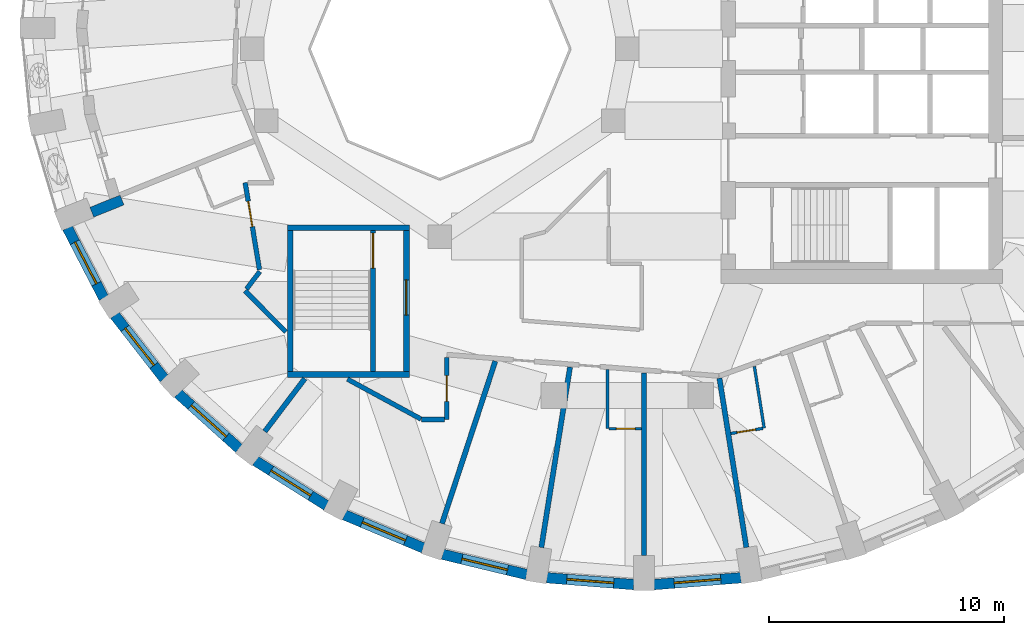
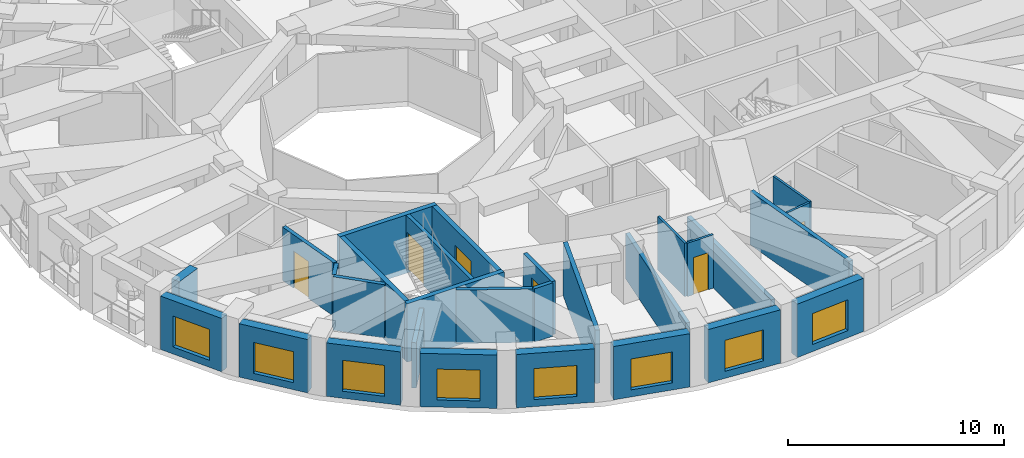
# One storey, part 3 of 12: 29 walls, 8 windows, 6 doors, 14 openings.
"""IFC4 building model written with IfcOpenShell, lengths in metres."""

from ifc_helpers import new_model, si_unit, direction, frame, frame_2d, origin, place, context, subcontext, project, spatial, rectangle, extrude, material, layer, layer_set, type_object, element, fill, save


model = new_model("IFC4")

# Units and contexts
model_context = context("Model", 3, precision=1e-05, world=origin(), true_north=direction((0.0, 1.0)))
body_context = subcontext(model_context, "Body", "Model", "MODEL_VIEW")
ifc_project = project(units=[si_unit("LENGTHUNIT", "METRE"), si_unit("AREAUNIT", "SQUARE_METRE"), si_unit("VOLUMEUNIT", "CUBIC_METRE"), si_unit("PLANEANGLEUNIT", "RADIAN"), si_unit("MASSUNIT", "GRAM", prefix="KILO")], contexts=[model_context])

# Site, building, storey
site_placement = place(None, origin())
site = spatial("IfcSite", under=ifc_project, at=site_placement, CompositionType="ELEMENT")
building_placement = place(site_placement, origin())
building = spatial("IfcBuilding", under=site, at=building_placement, Name="Taillehof Tower", CompositionType="ELEMENT")
storey_placement = place(building_placement, frame((0.0, 0.0, 189.199951171875)))
storey = spatial("IfcBuildingStorey", under=building, at=storey_placement, Name="L53", CompositionType="ELEMENT", Elevation=189.199951171875)

# Wall, opening, window
ifc_material_1 = material(Name="Brick masonry", Category="masonry")
ifc_layer_1 = layer(ifc_material_1, 0.449951171875)
ifc_layer_set_1 = layer_set([ifc_layer_1], Name="Brick infill wall 450")
wall_type_1 = type_object("IfcWallType", Name="Brick infill wall 450", PredefinedType="SOLIDWALL", material=ifc_layer_set_1)
wall_1_placement = place(storey_placement, frame((-23.878173828125, -7.631591796875, 0.0), z_axis=(0.0, 0.0, 1.0), x_axis=(0.460232593174, -0.887798378113, 0.0)))
wall_1 = element("IfcWall", 1, at=wall_1_placement, inside=storey, type_object=wall_type_1, Name="Brick wall L53 bay 21", PredefinedType="SOLIDWALL", context=body_context, shape_type="SweptSolid", body=[
    extrude(rectangle(XDim=3.37060546875, YDim=0.449951171875, at=frame_2d((1.685302734375, 0.0))), origin(), (0.0, 0.0, 1.0), 3.02001953125),
])
opening_1_placement = place(wall_1_placement, frame((0.685302734375, 0.0, 0.39990234375)))
opening_1 = element("IfcOpeningElement", 2, at=opening_1_placement, cuts=wall_1, Name="Opening W2", PredefinedType="OPENING", context=body_context, shape_type="SweptSolid", body=[
    extrude(rectangle(XDim=2.0, YDim=1.75, at=frame_2d((1.0, 0.875))), frame((0.0, 0.23486328125, 0.0), z_axis=(0.0, -1.0, 0.0), x_axis=(1.0, 0.0, 0.0)), (0.0, 0.0, 1.0), 0.469970703125),
])
ifc_material_2 = material(Name="Aluminium window frame with clear double glazing", Category="aluminium")
window_type = type_object("IfcWindowType", Name="Deep-set window 2000x1750", PartitioningType="SINGLE_PANEL", PredefinedType="WINDOW", material=ifc_material_2)
window_1_placement = place(opening_1_placement, origin())
window_1 = element("IfcWindow", 3, at=window_1_placement, inside=storey, type_object=window_type, Name="W2", OverallHeight=1.75, OverallWidth=2.0, PartitioningType="SINGLE_PANEL", PredefinedType="WINDOW", context=body_context, shape_type="SweptSolid", body=[
    extrude(rectangle(XDim=2.0, YDim=1.75, at=frame_2d((1.0, 0.875))), frame((0.0, 0.034912109375, 0.0), z_axis=(0.0, -1.0, 0.0), x_axis=(1.0, 0.0, 0.0)), (0.0, 0.0, 1.0), 0.06005859375),
])
fill(opening_1, window_1)

wall_2_placement = place(storey_placement, frame((-21.86279296875, -11.348388671875, 0.0), z_axis=(0.0, 0.0, 1.0), x_axis=(0.614255239631, -0.789107407509, 0.0)))
wall_2 = element("IfcWall", 4, at=wall_2_placement, inside=storey, type_object=wall_type_1, Name="Brick wall L53 bay 22", PredefinedType="SOLIDWALL", context=body_context, shape_type="SweptSolid", body=[
    extrude(rectangle(XDim=3.4375, YDim=0.449951171875, at=frame_2d((1.71875, 0.0))), origin(), (0.0, 0.0, 1.0), 3.02001953125),
])
opening_2_placement = place(wall_2_placement, frame((0.71875, 0.0, 0.39990234375)))
opening_2 = element("IfcOpeningElement", 5, at=opening_2_placement, cuts=wall_2, Name="Opening W2", PredefinedType="OPENING", context=body_context, shape_type="SweptSolid", body=[
    extrude(rectangle(XDim=2.0, YDim=1.75, at=frame_2d((1.0, 0.875))), frame((0.0, 0.23486328125, 0.0), z_axis=(0.0, -1.0, 0.0), x_axis=(1.0, 0.0, 0.0)), (0.0, 0.0, 1.0), 0.469970703125),
])
window_2_placement = place(opening_2_placement, origin())
window_2 = element("IfcWindow", 6, at=window_2_placement, inside=storey, type_object=window_type, Name="W2", OverallHeight=1.75, OverallWidth=2.0, PartitioningType="SINGLE_PANEL", PredefinedType="WINDOW", context=body_context, shape_type="SweptSolid", body=[
    extrude(rectangle(XDim=2.0, YDim=1.75, at=frame_2d((1.0, 0.875))), frame((0.0, 0.034912109375, 0.0), z_axis=(0.0, -1.0, 0.0), x_axis=(1.0, 0.0, 0.0)), (0.0, 0.0, 1.0), 0.06005859375),
])
fill(opening_2, window_2)

wall_3_placement = place(storey_placement, frame((-19.1650390625, -14.6904296875, 0.0), z_axis=(0.0, 0.0, 1.0), x_axis=(0.743442727602, -0.668799604348, 0.0)))
wall_3 = element("IfcWall", 7, at=wall_3_placement, inside=storey, type_object=wall_type_1, Name="Brick wall L53 bay 23", PredefinedType="SOLIDWALL", context=body_context, shape_type="SweptSolid", body=[
    extrude(rectangle(XDim=3.5126953125, YDim=0.449951171875, at=frame_2d((1.75634765625, 0.0))), origin(), (0.0, 0.0, 1.0), 3.02001953125),
])
opening_3_placement = place(wall_3_placement, frame((0.75634765625, 0.0, 0.39990234375)))
opening_3 = element("IfcOpeningElement", 8, at=opening_3_placement, cuts=wall_3, Name="Opening W2", PredefinedType="OPENING", context=body_context, shape_type="SweptSolid", body=[
    extrude(rectangle(XDim=2.0, YDim=1.75, at=frame_2d((1.0, 0.875))), frame((0.0, 0.23486328125, 0.0), z_axis=(0.0, -1.0, 0.0), x_axis=(1.0, 0.0, 0.0)), (0.0, 0.0, 1.0), 0.469970703125),
])
window_3_placement = place(opening_3_placement, origin())
window_3 = element("IfcWindow", 9, at=window_3_placement, inside=storey, type_object=window_type, Name="W2", OverallHeight=1.75, OverallWidth=2.0, PartitioningType="SINGLE_PANEL", PredefinedType="WINDOW", context=body_context, shape_type="SweptSolid", body=[
    extrude(rectangle(XDim=2.0, YDim=1.75, at=frame_2d((1.0, 0.875))), frame((0.0, 0.034912109375, 0.0), z_axis=(0.0, -1.0, 0.0), x_axis=(1.0, 0.0, 0.0)), (0.0, 0.0, 1.0), 0.06005859375),
])
fill(opening_3, window_3)

wall_4_placement = place(storey_placement, frame((-15.8671875, -17.55859375, 0.0), z_axis=(0.0, 0.0, 1.0), x_axis=(0.84616917791, -0.532914366813, 0.0)))
wall_4 = element("IfcWall", 10, at=wall_4_placement, inside=storey, type_object=wall_type_1, Name="Brick wall L53 bay 24", PredefinedType="SOLIDWALL", context=body_context, shape_type="SweptSolid", body=[
    extrude(rectangle(XDim=3.586669921875, YDim=0.449951171875, at=frame_2d((1.79345703125, 0.0))), origin(), (0.0, 0.0, 1.0), 3.02001953125),
])
opening_4_placement = place(wall_4_placement, frame((0.79345703125, 0.0, 0.39990234375)))
opening_4 = element("IfcOpeningElement", 11, at=opening_4_placement, cuts=wall_4, Name="Opening W2", PredefinedType="OPENING", context=body_context, shape_type="SweptSolid", body=[
    extrude(rectangle(XDim=2.0, YDim=1.75, at=frame_2d((1.0, 0.875))), frame((0.0, 0.23486328125, 0.0), z_axis=(0.0, -1.0, 0.0), x_axis=(1.0, 0.0, 0.0)), (0.0, 0.0, 1.0), 0.469970703125),
])
window_4_placement = place(opening_4_placement, origin())
window_4 = element("IfcWindow", 12, at=window_4_placement, inside=storey, type_object=window_type, Name="W2", OverallHeight=1.75, OverallWidth=2.0, PartitioningType="SINGLE_PANEL", PredefinedType="WINDOW", context=body_context, shape_type="SweptSolid", body=[
    extrude(rectangle(XDim=2.0, YDim=1.75, at=frame_2d((1.0, 0.875))), frame((0.0, 0.034912109375, 0.0), z_axis=(0.0, -1.0, 0.0), x_axis=(1.0, 0.0, 0.0)), (0.0, 0.0, 1.0), 0.06005859375),
])
fill(opening_4, window_4)

wall_5_placement = place(storey_placement, frame((-12.0693359375, -19.866943359375, 0.0), z_axis=(0.0, 0.0, 1.0), x_axis=(0.922168222612, -0.386789050006, 0.0)))
wall_5 = element("IfcWall", 13, at=wall_5_placement, inside=storey, type_object=wall_type_1, Name="Brick wall L53 bay 25", PredefinedType="SOLIDWALL", context=body_context, shape_type="SweptSolid", body=[
    extrude(rectangle(XDim=3.65087890625, YDim=0.449951171875, at=frame_2d((1.825439453125, 0.0))), origin(), (0.0, 0.0, 1.0), 3.02001953125),
])
opening_5_placement = place(wall_5_placement, frame((0.825439453125, 0.0, 0.39990234375)))
opening_5 = element("IfcOpeningElement", 14, at=opening_5_placement, cuts=wall_5, Name="Opening W2", PredefinedType="OPENING", context=body_context, shape_type="SweptSolid", body=[
    extrude(rectangle(XDim=2.0, YDim=1.75, at=frame_2d((1.0, 0.875))), frame((0.0, 0.23486328125, 0.0), z_axis=(0.0, -1.0, 0.0), x_axis=(1.0, 0.0, 0.0)), (0.0, 0.0, 1.0), 0.469970703125),
])
window_5_placement = place(opening_5_placement, origin())
window_5 = element("IfcWindow", 15, at=window_5_placement, inside=storey, type_object=window_type, Name="W2", OverallHeight=1.75, OverallWidth=2.0, PartitioningType="SINGLE_PANEL", PredefinedType="WINDOW", context=body_context, shape_type="SweptSolid", body=[
    extrude(rectangle(XDim=2.0, YDim=1.75, at=frame_2d((1.0, 0.875))), frame((0.0, 0.034912109375, 0.0), z_axis=(0.0, -1.0, 0.0), x_axis=(1.0, 0.0, 0.0)), (0.0, 0.0, 1.0), 0.06005859375),
])
fill(opening_5, window_5)

wall_6_placement = place(storey_placement, frame((-7.88525390625, -21.547119140625, 0.0), z_axis=(0.0, 0.0, 1.0), x_axis=(0.9721584944, -0.234324266275, 0.0)))
wall_6 = element("IfcWall", 16, at=wall_6_placement, inside=storey, type_object=wall_type_1, Name="Brick wall L53 bay 26", PredefinedType="SOLIDWALL", context=body_context, shape_type="SweptSolid", body=[
    extrude(rectangle(XDim=3.69775390625, YDim=0.449951171875, at=frame_2d((1.848876953125, 0.0))), origin(), (0.0, 0.0, 1.0), 3.02001953125),
])
opening_6_placement = place(wall_6_placement, frame((0.848876953125, 0.0, 0.39990234375)))
opening_6 = element("IfcOpeningElement", 17, at=opening_6_placement, cuts=wall_6, Name="Opening W2", PredefinedType="OPENING", context=body_context, shape_type="SweptSolid", body=[
    extrude(rectangle(XDim=2.0, YDim=1.75, at=frame_2d((1.0, 0.875))), frame((0.0, 0.23486328125, 0.0), z_axis=(0.0, -1.0, 0.0), x_axis=(1.0, 0.0, 0.0)), (0.0, 0.0, 1.0), 0.469970703125),
])
window_6_placement = place(opening_6_placement, origin())
window_6 = element("IfcWindow", 18, at=window_6_placement, inside=storey, type_object=window_type, Name="W2", OverallHeight=1.75, OverallWidth=2.0, PartitioningType="SINGLE_PANEL", PredefinedType="WINDOW", context=body_context, shape_type="SweptSolid", body=[
    extrude(rectangle(XDim=2.0, YDim=1.75, at=frame_2d((1.0, 0.875))), frame((0.0, 0.034912109375, 0.0), z_axis=(0.0, -1.0, 0.0), x_axis=(1.0, 0.0, 0.0)), (0.0, 0.0, 1.0), 0.06005859375),
])
fill(opening_6, window_6)

wall_7_placement = place(storey_placement, frame((-3.441162109375, -22.54833984375, 0.0), z_axis=(0.0, 0.0, 1.0), x_axis=(0.996913971077, -0.078501810629, 0.0)))
wall_7 = element("IfcWall", 19, at=wall_7_placement, inside=storey, type_object=wall_type_1, Name="Brick wall L53 bay 27", PredefinedType="SOLIDWALL", context=body_context, shape_type="SweptSolid", body=[
    extrude(rectangle(XDim=3.72265625, YDim=0.449951171875, at=frame_2d((1.861328125, 0.0))), origin(), (0.0, 0.0, 1.0), 3.02001953125),
])
opening_7_placement = place(wall_7_placement, frame((0.861328125, 0.0, 0.39990234375)))
opening_7 = element("IfcOpeningElement", 20, at=opening_7_placement, cuts=wall_7, Name="Opening W2", PredefinedType="OPENING", context=body_context, shape_type="SweptSolid", body=[
    extrude(rectangle(XDim=2.0, YDim=1.75, at=frame_2d((1.0, 0.875))), frame((0.0, 0.23486328125, 0.0), z_axis=(0.0, -1.0, 0.0), x_axis=(1.0, 0.0, 0.0)), (0.0, 0.0, 1.0), 0.469970703125),
])
window_7_placement = place(opening_7_placement, origin())
window_7 = element("IfcWindow", 21, at=window_7_placement, inside=storey, type_object=window_type, Name="W2", OverallHeight=1.75, OverallWidth=2.0, PartitioningType="SINGLE_PANEL", PredefinedType="WINDOW", context=body_context, shape_type="SweptSolid", body=[
    extrude(rectangle(XDim=2.0, YDim=1.75, at=frame_2d((1.0, 0.875))), frame((0.0, 0.034912109375, 0.0), z_axis=(0.0, -1.0, 0.0), x_axis=(1.0, 0.0, 0.0)), (0.0, 0.0, 1.0), 0.06005859375),
])
fill(opening_7, window_7)

wall_8_placement = place(storey_placement, frame((1.130126953125, -22.840576171875, 0.0), z_axis=(0.0, 0.0, 1.0), x_axis=(0.996913566885, 0.078506943392, 0.0)))
wall_8 = element("IfcWall", 22, at=wall_8_placement, inside=storey, type_object=wall_type_1, Name="Brick wall L53 bay 28", PredefinedType="SOLIDWALL", context=body_context, shape_type="SweptSolid", body=[
    extrude(rectangle(XDim=3.722412109375, YDim=0.449951171875, at=frame_2d((1.861328125, 0.0))), origin(), (0.0, 0.0, 1.0), 3.02001953125),
])
opening_8_placement = place(wall_8_placement, frame((0.861328125, 0.0, 0.39990234375)))
opening_8 = element("IfcOpeningElement", 23, at=opening_8_placement, cuts=wall_8, Name="Opening W2", PredefinedType="OPENING", context=body_context, shape_type="SweptSolid", body=[
    extrude(rectangle(XDim=2.0, YDim=1.75, at=frame_2d((1.0, 0.875))), frame((0.0, 0.23486328125, 0.0), z_axis=(0.0, -1.0, 0.0), x_axis=(1.0, 0.0, 0.0)), (0.0, 0.0, 1.0), 0.469970703125),
])
window_8_placement = place(opening_8_placement, origin())
window_8 = element("IfcWindow", 24, at=window_8_placement, inside=storey, type_object=window_type, Name="W2", OverallHeight=1.75, OverallWidth=2.0, PartitioningType="SINGLE_PANEL", PredefinedType="WINDOW", context=body_context, shape_type="SweptSolid", body=[
    extrude(rectangle(XDim=2.0, YDim=1.75, at=frame_2d((1.0, 0.875))), frame((0.0, 0.034912109375, 0.0), z_axis=(0.0, -1.0, 0.0), x_axis=(1.0, 0.0, 0.0)), (0.0, 0.0, 1.0), 0.06005859375),
])
fill(opening_8, window_8)

# Wall
wall_9_placement = place(storey_placement, frame((-22.839599609375, -6.963623046875, 0.0), z_axis=(0.0, 0.0, 1.0), x_axis=(0.92737073954, 0.374143704271, 0.0)))
element("IfcWall", 25, at=wall_9_placement, inside=storey, type_object=wall_type_1, Name="Brick reveal L53 pocket 5", PredefinedType="SOLIDWALL", context=body_context, shape_type="SweptSolid", body=[
    extrude(rectangle(XDim=1.390625, YDim=0.449951171875, at=frame_2d((0.6953125, 0.0))), origin(), (0.0, 0.0, 1.0), 3.02001953125),
])

# Wall, opening, door
ifc_material_3 = material(Name="Gypsum board on steel studs, two layers each side", Category="steel")
ifc_layer_2 = layer(ifc_material_3, 0.199951171875)
ifc_layer_set_2 = layer_set([ifc_layer_2], Name="Compartment wall corridor 200")
wall_type_2 = type_object("IfcWallType", Name="Compartment wall corridor 200", PredefinedType="PARTITIONING", material=ifc_layer_set_2)
wall_10_placement = place(storey_placement, frame((-7.699951171875, -13.15380859375, 0.0), z_axis=(0.0, 0.0, 1.0), x_axis=(0.0, -1.0, 0.0)))
wall_10 = element("IfcWall", 26, at=wall_10_placement, inside=storey, type_object=wall_type_2, Name="Compartment wall", PredefinedType="PARTITIONING", context=body_context, shape_type="SweptSolid", body=[
    extrude(rectangle(XDim=2.646240234375, YDim=0.199951171875, at=frame_2d((1.3232421875, 0.0))), origin(), (0.0, 0.0, 1.0), 3.02001953125),
])
opening_9_placement = place(wall_10_placement, frame((0.773193359375, 0.0, 0.0)))
opening_9 = element("IfcOpeningElement", 27, at=opening_9_placement, cuts=wall_10, Name="Opening D5357", PredefinedType="OPENING", context=body_context, shape_type="SweptSolid", body=[
    extrude(rectangle(XDim=1.10009765625, YDim=2.10009765625, at=frame_2d((0.550048828125, 1.050048828125))), frame((0.0, 0.10986328125, 0.0), z_axis=(0.0, -1.0, 0.0), x_axis=(1.0, 0.0, 0.0)), (0.0, 0.0, 1.0), 0.219970703125),
])
ifc_material_4 = material(Name="Timber door leaf in steel frame", Category="steel")
door_type_1 = type_object("IfcDoorType", Name="Suite entrance door EI 30 1100 x 2100", OperationType="SINGLE_SWING_LEFT", PredefinedType="DOOR", material=ifc_material_4)
door_1_placement = place(opening_9_placement, origin())
door_1 = element("IfcDoor", 28, at=door_1_placement, inside=storey, type_object=door_type_1, Name="D5357", OperationType="SINGLE_SWING_LEFT", OverallHeight=2.10009765625, OverallWidth=1.10009765625, PredefinedType="DOOR", context=body_context, shape_type="SweptSolid", body=[
    extrude(rectangle(XDim=1.10009765625, YDim=2.10009765625, at=frame_2d((0.550048828125, 1.050048828125))), frame((0.0, 0.02490234375, 0.0), z_axis=(0.0, -1.0, 0.0), x_axis=(1.0, 0.0, 0.0)), (0.0, 0.0, 1.0), 0.050048828125),
])
fill(opening_9, door_1)

# Walls
wall_11_placement = place(storey_placement, frame((-7.800048828125, -15.800048828125, 0.0), z_axis=(0.0, 0.0, 1.0), x_axis=(-1.0, 0.0, 0.0)))
element("IfcWall", 29, at=wall_11_placement, inside=storey, type_object=wall_type_2, Name="Compartment wall", PredefinedType="PARTITIONING", context=body_context, shape_type="SweptSolid", body=[
    extrude(rectangle(XDim=0.970458984375, YDim=0.199951171875, at=frame_2d((0.4853515625, 0.0))), origin(), (0.0, 0.0, 1.0), 3.02001953125),
])
wall_12_placement = place(storey_placement, frame((-8.8056640625, -15.781005859375, 0.0), z_axis=(0.0, 0.0, 1.0), x_axis=(-0.878760680736, 0.477262680284, 0.0)))
element("IfcWall", 30, at=wall_12_placement, inside=storey, type_object=wall_type_2, Name="Compartment wall", PredefinedType="PARTITIONING", context=body_context, shape_type="SweptSolid", body=[
    extrude(rectangle(XDim=3.56396484375, YDim=0.199951171875, at=frame_2d((1.781982421875, 0.0))), origin(), (0.0, 0.0, 1.0), 3.02001953125),
])
wall_13_placement = place(storey_placement, frame((-14.561767578125, -12.064453125, 0.0), z_axis=(0.0, 0.0, 1.0), x_axis=(-0.704826289083, 0.709379942074, 0.0)))
element("IfcWall", 31, at=wall_13_placement, inside=storey, type_object=wall_type_2, Name="Compartment wall", PredefinedType="PARTITIONING", context=body_context, shape_type="SweptSolid", body=[
    extrude(rectangle(XDim=2.46630859375, YDim=0.199951171875, at=frame_2d((1.233154296875, 0.0))), origin(), (0.0, 0.0, 1.0), 3.02001953125),
])
wall_14_placement = place(storey_placement, frame((-16.240234375, -10.235595703125, 0.0), z_axis=(0.0, 0.0, 1.0), x_axis=(0.60389301212, 0.797065386222, 0.0)))
element("IfcWall", 32, at=wall_14_placement, inside=storey, type_object=wall_type_2, Name="Compartment wall", PredefinedType="PARTITIONING", context=body_context, shape_type="SweptSolid", body=[
    extrude(rectangle(XDim=0.931396484375, YDim=0.199951171875, at=frame_2d((0.4658203125, 0.0))), origin(), (0.0, 0.0, 1.0), 3.02001953125),
])

# Wall, opening, door
wall_15_placement = place(storey_placement, frame((-15.6904296875, -9.4140625, 0.0), z_axis=(0.0, 0.0, 1.0), x_axis=(-0.161968669214, 0.986795900981, 0.0)))
wall_15 = element("IfcWall", 33, at=wall_15_placement, inside=storey, type_object=wall_type_2, Name="Compartment wall", PredefinedType="PARTITIONING", context=body_context, shape_type="SweptSolid", body=[
    extrude(rectangle(XDim=3.763916015625, YDim=0.199951171875, at=frame_2d((1.8818359375, 0.0))), origin(), (0.0, 0.0, 1.0), 3.02001953125),
])
opening_10_placement = place(wall_15_placement, frame((1.857666015625, 0.0, 0.0)))
opening_10 = element("IfcOpeningElement", 34, at=opening_10_placement, cuts=wall_15, Name="Opening D5355", PredefinedType="OPENING", context=body_context, shape_type="SweptSolid", body=[
    extrude(rectangle(XDim=1.10009765625, YDim=2.10009765625, at=frame_2d((0.550048828125, 1.050048828125))), frame((0.0, 0.10986328125, 0.0), z_axis=(0.0, -1.0, 0.0), x_axis=(1.0, 0.0, 0.0)), (0.0, 0.0, 1.0), 0.219970703125),
])
door_2_placement = place(opening_10_placement, origin())
door_2 = element("IfcDoor", 35, at=door_2_placement, inside=storey, type_object=door_type_1, Name="D5355", OperationType="SINGLE_SWING_RIGHT", OverallHeight=2.10009765625, OverallWidth=1.10009765625, PredefinedType="DOOR", context=body_context, shape_type="SweptSolid", body=[
    extrude(rectangle(XDim=1.10009765625, YDim=2.10009765625, at=frame_2d((0.550048828125, 1.050048828125))), frame((0.0, 0.02490234375, 0.0), z_axis=(0.0, -1.0, 0.0), x_axis=(1.0, 0.0, 0.0)), (0.0, 0.0, 1.0), 0.050048828125),
])
fill(opening_10, door_2)

# Walls
ifc_material_5 = material(Name="Gypsum board on double steel studs with mineral wool", Category="steel")
ifc_layer_3 = layer(ifc_material_5, 0.219970703125)
ifc_layer_set_3 = layer_set([ifc_layer_3], Name="Compartment wall guest room 220")
wall_type_3 = type_object("IfcWallType", Name="Compartment wall guest room 220", PredefinedType="PARTITIONING", material=ifc_layer_set_3)
wall_16_placement = place(storey_placement, frame((-15.46337890625, -16.3125, 0.0), z_axis=(0.0, 0.0, 1.0), x_axis=(0.603613294085, 0.797277236101, 0.0)))
element("IfcWall", 36, at=wall_16_placement, inside=storey, type_object=wall_type_3, Name="Compartment wall", PredefinedType="PARTITIONING", context=body_context, shape_type="SweptSolid", body=[
    extrude(rectangle(XDim=2.82763671875, YDim=0.219970703125, at=frame_2d((1.413818359375, 0.0))), origin(), (0.0, 0.0, 1.0), 2.570068359375),
])
wall_17_placement = place(storey_placement, frame((-7.9072265625, -20.2353515625, 0.0), z_axis=(0.0, 0.0, 1.0), x_axis=(0.311980831408, 0.950088396326, 0.0)))
element("IfcWall", 37, at=wall_17_placement, inside=storey, type_object=wall_type_3, Name="Compartment wall", PredefinedType="PARTITIONING", context=body_context, shape_type="SweptSolid", body=[
    extrude(rectangle(XDim=7.283203125, YDim=0.219970703125, at=frame_2d((3.6416015625, 0.0))), origin(), (0.0, 0.0, 1.0), 3.02001953125),
])
wall_18_placement = place(storey_placement, frame((-3.6708984375, -21.256103515625, 0.0), z_axis=(0.0, 0.0, 1.0), x_axis=(0.157083078724, 0.987585391943, 0.0)))
element("IfcWall", 38, at=wall_18_placement, inside=storey, type_object=wall_type_3, Name="Compartment wall", PredefinedType="PARTITIONING", context=body_context, shape_type="SweptSolid", body=[
    extrude(rectangle(XDim=7.78662109375, YDim=0.219970703125, at=frame_2d((3.893310546875, 0.0))), origin(), (0.0, 0.0, 1.0), 2.570068359375),
])
wall_19_placement = place(storey_placement, frame((0.699951171875, -21.60009765625, 0.0), z_axis=(0.0, 0.0, 1.0), x_axis=(0.0, 1.0, 0.0)))
element("IfcWall", 39, at=wall_19_placement, inside=storey, type_object=wall_type_3, Name="Compartment wall", PredefinedType="PARTITIONING", context=body_context, shape_type="SweptSolid", body=[
    extrude(rectangle(XDim=7.786865234375, YDim=0.219970703125, at=frame_2d((3.8935546875, 0.0))), origin(), (0.0, 0.0, 1.0), 2.570068359375),
])
wall_20_placement = place(storey_placement, frame((5.071044921875, -21.256103515625, 0.0), z_axis=(0.0, 0.0, 1.0), x_axis=(-0.157118751406, 0.987579717267, 0.0)))
element("IfcWall", 40, at=wall_20_placement, inside=storey, type_object=wall_type_3, Name="Compartment wall", PredefinedType="PARTITIONING", context=body_context, shape_type="SweptSolid", body=[
    extrude(rectangle(XDim=7.307861328125, YDim=0.219970703125, at=frame_2d((3.65380859375, 0.0))), origin(), (0.0, 0.0, 1.0), 3.02001953125),
])
ifc_material_6 = material(Name="Gypsum board on steel studs, moisture resistant", Category="steel")
ifc_layer_4 = layer(ifc_material_6, 0.1201171875)
ifc_layer_set_4 = layer_set([ifc_layer_4], Name="En-suite wall 120")
wall_type_4 = type_object("IfcWallType", Name="En-suite wall 120", PredefinedType="PARTITIONING", material=ifc_layer_set_4)
wall_21_placement = place(storey_placement, frame((-0.85009765625, -13.671630859375, 0.0), z_axis=(0.0, 0.0, 1.0), x_axis=(0.0, -1.0, 0.0)))
element("IfcWall", 41, at=wall_21_placement, inside=storey, type_object=wall_type_4, Name="En-suite wall", PredefinedType="PARTITIONING", context=body_context, shape_type="SweptSolid", body=[
    extrude(rectangle(XDim=2.521484375, YDim=0.1201171875, at=frame_2d((1.2607421875, 0.0))), origin(), (0.0, 0.0, 1.0), 3.02001953125),
])
wall_22_placement = place(storey_placement, frame((5.412353515625, -13.536376953125, 0.0), z_axis=(0.0, 0.0, 1.0), x_axis=(0.157076497257, -0.987586438753, 0.0)))
element("IfcWall", 42, at=wall_22_placement, inside=storey, type_object=wall_type_4, Name="En-suite wall", PredefinedType="PARTITIONING", context=body_context, shape_type="SweptSolid", body=[
    extrude(rectangle(XDim=2.667236328125, YDim=0.1201171875, at=frame_2d((1.33349609375, 0.0))), origin(), (0.0, 0.0, 1.0), 3.02001953125),
])

# Wall, opening, door
wall_23_placement = place(storey_placement, frame((-0.7900390625, -16.193115234375, 0.0), z_axis=(0.0, 0.0, 1.0), x_axis=(1.0, 0.0, 0.0)))
wall_23 = element("IfcWall", 43, at=wall_23_placement, inside=storey, type_object=wall_type_4, Name="En-suite wall", PredefinedType="PARTITIONING", context=body_context, shape_type="SweptSolid", body=[
    extrude(rectangle(XDim=1.3798828125, YDim=0.1201171875, at=frame_2d((0.68994140625, 0.0))), origin(), (0.0, 0.0, 1.0), 3.02001953125),
])
opening_11_placement = place(wall_23_placement, frame((0.31494140625, 0.0, 0.0)))
opening_11 = element("IfcOpeningElement", 44, at=opening_11_placement, cuts=wall_23, Name="Opening D5360", PredefinedType="OPENING", context=body_context, shape_type="SweptSolid", body=[
    extrude(rectangle(XDim=0.800048828125, YDim=2.10009765625, at=frame_2d((0.39990234375, 1.050048828125))), frame((0.0, 0.070068359375, 0.0), z_axis=(0.0, -1.0, 0.0), x_axis=(1.0, 0.0, 0.0)), (0.0, 0.0, 1.0), 0.14013671875),
])
ifc_material_7 = material(Name="Timber door leaf in steel frame", Category="steel")
door_type_2 = type_object("IfcDoorType", Name="En-suite door 800 x 2100", OperationType="SINGLE_SWING_LEFT", PredefinedType="DOOR", material=ifc_material_7)
door_3_placement = place(opening_11_placement, origin())
door_3 = element("IfcDoor", 45, at=door_3_placement, inside=storey, type_object=door_type_2, Name="D5360", OperationType="SINGLE_SWING_LEFT", OverallHeight=2.10009765625, OverallWidth=0.800048828125, PredefinedType="DOOR", context=body_context, shape_type="SweptSolid", body=[
    extrude(rectangle(XDim=0.800048828125, YDim=2.10009765625, at=frame_2d((0.39990234375, 1.050048828125))), frame((0.0, 0.02490234375, 0.0), z_axis=(0.0, -1.0, 0.0), x_axis=(1.0, 0.0, 0.0)), (0.0, 0.0, 1.0), 0.050048828125),
])
fill(opening_11, door_3)

wall_24_placement = place(storey_placement, frame((5.77197265625, -16.179931640625, 0.0), z_axis=(0.0, 0.0, 1.0), x_axis=(-0.98760899043, -0.156934642514, 0.0)))
wall_24 = element("IfcWall", 46, at=wall_24_placement, inside=storey, type_object=wall_type_4, Name="En-suite wall", PredefinedType="PARTITIONING", context=body_context, shape_type="SweptSolid", body=[
    extrude(rectangle(XDim=1.3798828125, YDim=0.1201171875, at=frame_2d((0.68994140625, 0.0))), origin(), (0.0, 0.0, 1.0), 3.02001953125),
])
opening_12_placement = place(wall_24_placement, frame((0.31494140625, 0.0, 0.0)))
opening_12 = element("IfcOpeningElement", 47, at=opening_12_placement, cuts=wall_24, Name="Opening D5363", PredefinedType="OPENING", context=body_context, shape_type="SweptSolid", body=[
    extrude(rectangle(XDim=0.800048828125, YDim=2.10009765625, at=frame_2d((0.39990234375, 1.050048828125))), frame((0.0, 0.070068359375, 0.0), z_axis=(0.0, -1.0, 0.0), x_axis=(1.0, 0.0, 0.0)), (0.0, 0.0, 1.0), 0.14013671875),
])
door_4_placement = place(opening_12_placement, origin())
door_4 = element("IfcDoor", 48, at=door_4_placement, inside=storey, type_object=door_type_2, Name="D5363", OperationType="SINGLE_SWING_RIGHT", OverallHeight=2.10009765625, OverallWidth=0.800048828125, PredefinedType="DOOR", context=body_context, shape_type="SweptSolid", body=[
    extrude(rectangle(XDim=0.800048828125, YDim=2.10009765625, at=frame_2d((0.39990234375, 1.050048828125))), frame((0.0, 0.02490234375, 0.0), z_axis=(0.0, -1.0, 0.0), x_axis=(1.0, 0.0, 0.0)), (0.0, 0.0, 1.0), 0.050048828125),
])
fill(opening_12, door_4)

ifc_material_8 = material(Name="Concrete C50/60", Category="concrete")
ifc_layer_5 = layer(ifc_material_8, 0.199951171875)
ifc_layer_set_5 = layer_set([ifc_layer_5], Name="Shaft wall C50/60 200")
wall_type_5 = type_object("IfcWallType", Name="Shaft wall C50/60 200", PredefinedType="SHEAR", material=ifc_layer_set_5)
wall_25_placement = place(storey_placement, frame((-10.85009765625, -13.75, 0.0), z_axis=(0.0, 0.0, 1.0), x_axis=(0.0, 1.0, 0.0)))
wall_25 = element("IfcWall", 49, at=wall_25_placement, inside=storey, type_object=wall_type_5, Name="Shaft wall SW", PredefinedType="SHEAR", context=body_context, shape_type="SweptSolid", body=[
    extrude(rectangle(XDim=6.0, YDim=0.199951171875, at=frame_2d((3.0, 0.0))), origin(), (0.0, 0.0, 1.0), 3.02001953125),
])
opening_13_placement = place(wall_25_placement, frame((4.39990234375, 0.0, 0.0)))
opening_13 = element("IfcOpeningElement", 50, at=opening_13_placement, cuts=wall_25, Name="Opening D5313", PredefinedType="OPENING", context=body_context, shape_type="SweptSolid", body=[
    extrude(rectangle(XDim=1.5, YDim=2.10009765625, at=frame_2d((0.75, 1.050048828125))), frame((0.0, 0.10986328125, 0.0), z_axis=(0.0, -1.0, 0.0), x_axis=(1.0, 0.0, 0.0)), (0.0, 0.0, 1.0), 0.219970703125),
])
ifc_material_9 = material(Name="Steel-faced fire door", Category="steel")
door_type_3 = type_object("IfcDoorType", Name="Stair door 1500x2100", OperationType="DOUBLE_DOOR_SINGLE_SWING", PredefinedType="DOOR", material=ifc_material_9)
door_5_placement = place(opening_13_placement, origin())
door_5 = element("IfcDoor", 51, at=door_5_placement, inside=storey, type_object=door_type_3, Name="Stair lobby door S4", OperationType="DOUBLE_DOOR_SINGLE_SWING", OverallHeight=2.10009765625, OverallWidth=1.5, PredefinedType="DOOR", context=body_context, shape_type="SweptSolid", body=[
    extrude(rectangle(XDim=1.5, YDim=2.10009765625, at=frame_2d((0.75, 1.050048828125))), frame((0.0, 0.02490234375, 0.0), z_axis=(0.0, -1.0, 0.0), x_axis=(1.0, 0.0, 0.0)), (0.0, 0.0, 1.0), 0.050048828125),
])
fill(opening_13, door_5)

# Wall
ifc_material_10 = material(Name="Concrete C50/60", Category="concrete")
ifc_layer_6 = layer(ifc_material_10, 0.25)
ifc_layer_set_6 = layer_set([ifc_layer_6], Name="Stair wall C50/60 250")
wall_type_6 = type_object("IfcWallType", Name="Stair wall C50/60 250", PredefinedType="SHEAR", material=ifc_layer_set_6)
wall_26_placement = place(storey_placement, frame((-14.375, -13.75, -0.280029296875), z_axis=(0.0, 0.0, 1.0), x_axis=(0.0, 1.0, 0.0)))
element("IfcWall", 52, at=wall_26_placement, inside=storey, type_object=wall_type_6, Name="Stair wall SC", PredefinedType="SHEAR", context=body_context, shape_type="SweptSolid", body=[
    extrude(rectangle(XDim=6.0, YDim=0.25, at=frame_2d((3.0, 0.0))), origin(), (0.0, 0.0, 1.0), 3.300048828125),
])

# Wall, opening, door
wall_27_placement = place(storey_placement, frame((-9.425048828125, -13.75, -0.280029296875), z_axis=(0.0, 0.0, 1.0), x_axis=(0.0, 1.0, 0.0)))
wall_27 = element("IfcWall", 53, at=wall_27_placement, inside=storey, type_object=wall_type_6, Name="Stair wall SC", PredefinedType="SHEAR", context=body_context, shape_type="SweptSolid", body=[
    extrude(rectangle(XDim=6.0, YDim=0.25, at=frame_2d((3.0, 0.0))), origin(), (0.0, 0.0, 1.0), 3.300048828125),
])
opening_14_placement = place(wall_27_placement, frame((2.39990234375, 0.0, 0.280029296875)))
opening_14 = element("IfcOpeningElement", 54, at=opening_14_placement, cuts=wall_27, Name="Opening D5316", PredefinedType="OPENING", context=body_context, shape_type="SweptSolid", body=[
    extrude(rectangle(XDim=1.5, YDim=2.10009765625, at=frame_2d((0.75, 1.050048828125))), frame((0.0, 0.135009765625, 0.0), z_axis=(0.0, -1.0, 0.0), x_axis=(1.0, 0.0, 0.0)), (0.0, 0.0, 1.0), 0.27001953125),
])
door_6_placement = place(opening_14_placement, origin())
door_6 = element("IfcDoor", 55, at=door_6_placement, inside=storey, type_object=door_type_3, Name="Stair door S4", OperationType="DOUBLE_DOOR_SINGLE_SWING", OverallHeight=2.10009765625, OverallWidth=1.5, PredefinedType="DOOR", context=body_context, shape_type="SweptSolid", body=[
    extrude(rectangle(XDim=1.5, YDim=2.10009765625, at=frame_2d((0.75, 1.050048828125))), frame((0.0, 0.02490234375, 0.0), z_axis=(0.0, -1.0, 0.0), x_axis=(1.0, 0.0, 0.0)), (0.0, 0.0, 1.0), 0.050048828125),
])
fill(opening_14, door_6)

# Walls
for number, where, z_axis, x_axis, name in (
    (56, (-14.5, -7.625, -0.280029296875), (0.0, 0.0, 1.0), (1.0, 0.0, 0.0), "Stair wall SC"),
    (57, (-14.5, -13.875, -0.280029296875), (0.0, 0.0, 1.0), (1.0, 0.0, 0.0), "Stair wall SC"),
):
    element("IfcWall", number, at=place(storey_placement, frame(where, z_axis=z_axis, x_axis=x_axis)), inside=storey, type_object=wall_type_6, Name=name, PredefinedType="SHEAR", context=body_context, shape_type="SweptSolid", body=[
        extrude(rectangle(XDim=5.199951171875, YDim=0.25, at=frame_2d((2.60009765625, 0.0))), origin(), (0.0, 0.0, 1.0), 3.300048828125),
    ])

save(model, "model.ifc")
